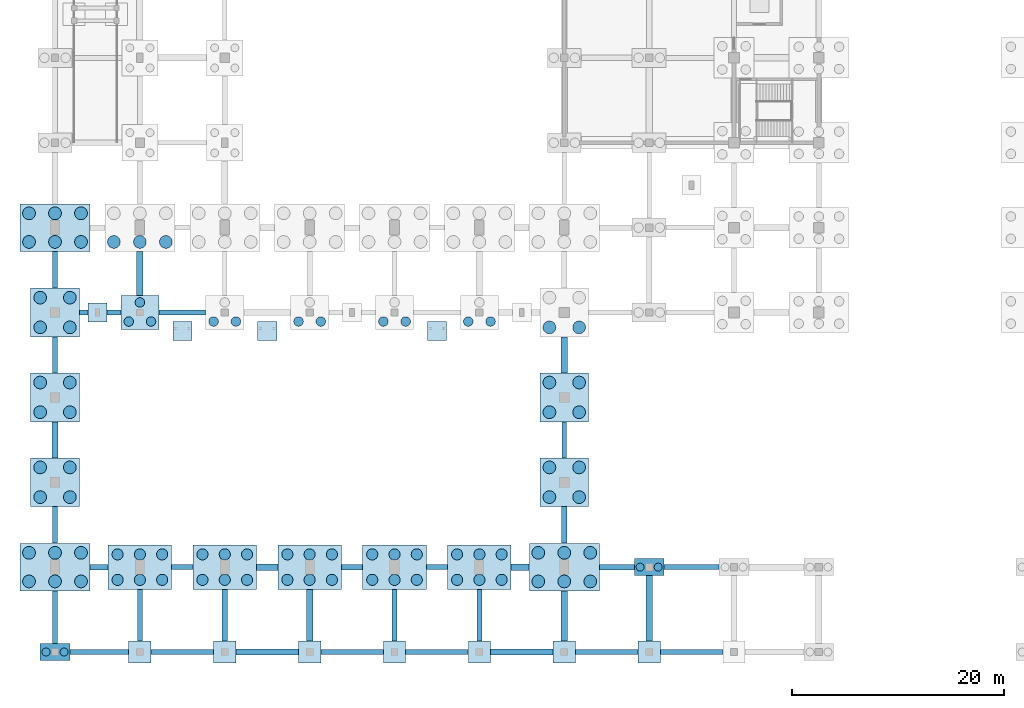
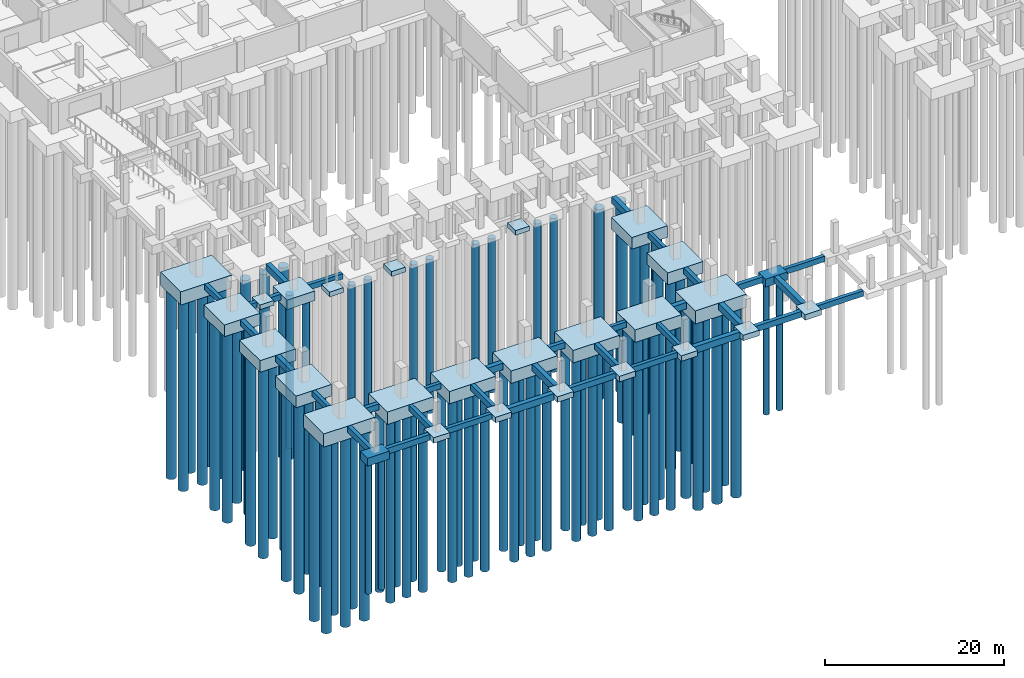
# One storey, part 1 of 32: 88 piles, 62 footings.
"""IFC4 building model written with IfcOpenShell, lengths in metres."""

from ifc_helpers import new_model, si_unit, direction, frame, origin, origin_2d, place, context, subcontext, project, spatial, rectangle, circle, extrude, material, material_profile, profile_set, type_object, element, save


model = new_model("IFC4")

# Units and contexts
model_context = context("Model", 3, precision=1e-05, world=origin(), true_north=direction((0.0, 1.0)))
body_context = subcontext(model_context, "Body", "Model", "MODEL_VIEW")
ifc_project = project(units=[si_unit("LENGTHUNIT", "METRE"), si_unit("AREAUNIT", "SQUARE_METRE"), si_unit("VOLUMEUNIT", "CUBIC_METRE"), si_unit("PLANEANGLEUNIT", "RADIAN"), si_unit("MASSUNIT", "GRAM", prefix="KILO")], contexts=[model_context])

# Site, building, storey
site_placement = place(None, origin())
site = spatial("IfcSite", under=ifc_project, at=site_placement, CompositionType="ELEMENT")
building_placement = place(site_placement, origin())
building = spatial("IfcBuilding", under=site, at=building_placement, Name="Tenunan Teduh Sports Hall", CompositionType="ELEMENT")
storey_placement = place(building_placement, frame((0.0, 0.0, -4.199951171875)))
storey = spatial("IfcBuildingStorey", under=building, at=storey_placement, Name="B1", CompositionType="ELEMENT", Elevation=-4.199951171875)

# Footings
ifc_material_1 = material(Name="Concrete C40/50", Category="concrete")
ifc_material_profile_1 = material_profile(ifc_material_1, rectangle(XDim=0.449951171875, YDim=0.75, at=origin_2d()), Name="RCB 450x750")
ifc_profile_set_1 = profile_set([ifc_material_profile_1], Name="Concrete C40/50")
footing_type_1 = type_object("IfcFootingType", Name="GB-450x750", PredefinedType="FOOTING_BEAM", material=ifc_profile_set_1)
for number, where, z_axis, x_axis, name in (
    (1, (15.052001953125, 6.0, -0.375), (1.0, 0.0, 0.0), (0.0, 1.0, 0.0), "FTG-GBX-002"),
    (2, (39.052001953125, 6.0, -0.375), (1.0, 0.0, 0.0), (0.0, 1.0, 0.0), "FTG-GBX-005"),
    (3, (63.052001953125, 6.0, -0.375), (1.0, 0.0, 0.0), (0.0, 1.0, 0.0), "FTG-GBX-008"),
):
    element("IfcFooting", number, at=place(storey_placement, frame(where, z_axis=z_axis, x_axis=x_axis)), inside=storey, type_object=footing_type_1, Name=name, PredefinedType="FOOTING_BEAM", context=body_context, shape_type="SweptSolid", body=[
        extrude(rectangle(XDim=0.449951171875, YDim=0.75, at=origin_2d()), origin(), (0.0, 0.0, 1.0), 5.89599609375),
    ])
for number, where, z_axis, x_axis, name in (
    (4, (17.001953125, 14.0, -0.375), (1.0, 0.0, 0.0), (0.0, 1.0, 0.0), "FTG-GBX-020"),
    (5, (41.001953125, 14.0, -0.375), (1.0, 0.0, 0.0), (0.0, 1.0, 0.0), "FTG-GBX-023"),
):
    element("IfcFooting", number, at=place(storey_placement, frame(where, z_axis=z_axis, x_axis=x_axis)), inside=storey, type_object=footing_type_1, Name=name, PredefinedType="FOOTING_BEAM", context=body_context, shape_type="SweptSolid", body=[
        extrude(rectangle(XDim=0.449951171875, YDim=0.75, at=origin_2d()), origin(), (0.0, 0.0, 1.0), 1.99609375),
    ])
footing_1_placement = place(storey_placement, frame((63.402099609375, 14.0, -0.375), z_axis=(1.0, 0.0, 0.0), x_axis=(0.0, 1.0, 0.0)))
element("IfcFooting", 6, at=footing_1_placement, inside=storey, type_object=footing_type_1, Name="FTG-GBX-026", PredefinedType="FOOTING_BEAM", context=body_context, shape_type="SweptSolid", body=[
    extrude(rectangle(XDim=0.449951171875, YDim=0.75, at=origin_2d()), origin(), (0.0, 0.0, 1.0), 5.19580078125),
])
footing_2_placement = place(storey_placement, frame((15.802001953125, 38.0, -0.375), z_axis=(1.0, 0.0, 0.0), x_axis=(0.0, 1.0, 0.0)))
element("IfcFooting", 7, at=footing_2_placement, inside=storey, type_object=footing_type_1, Name="FTG-GBX-039", PredefinedType="FOOTING_BEAM", context=body_context, shape_type="SweptSolid", body=[
    extrude(rectangle(XDim=0.449951171875, YDim=0.75, at=origin_2d()), origin(), (0.0, 0.0, 1.0), 4.39599609375),
])
for number, where, z_axis, x_axis, name in (
    (8, (6.0, 16.251953125, -0.375), (0.0, 1.0, 0.0), (-1.0, 0.0, 0.0), "FTG-GBY-172"),
    (9, (6.0, 40.302001953125, -0.375), (0.0, 1.0, 0.0), (-1.0, 0.0, 0.0), "FTG-GBY-175"),
):
    element("IfcFooting", number, at=place(storey_placement, frame(where, z_axis=z_axis, x_axis=x_axis)), inside=storey, type_object=footing_type_1, Name=name, PredefinedType="FOOTING_BEAM", context=body_context, shape_type="SweptSolid", body=[
        extrude(rectangle(XDim=0.449951171875, YDim=0.75, at=origin_2d()), origin(), (0.0, 0.0, 1.0), 3.446044921875),
    ])
for number, where, z_axis, x_axis, name in (
    (10, (14.0, 7.052001953125, -0.375), (0.0, 1.0, 0.0), (-1.0, 0.0, 0.0), "FTG-GBY-180"),
    (11, (46.0, 7.052001953125, -0.375), (0.0, 1.0, 0.0), (-1.0, 0.0, 0.0), "FTG-GBY-216"),
):
    element("IfcFooting", number, at=place(storey_placement, frame(where, z_axis=z_axis, x_axis=x_axis)), inside=storey, type_object=footing_type_1, Name=name, PredefinedType="FOOTING_BEAM", context=body_context, shape_type="SweptSolid", body=[
        extrude(rectangle(XDim=0.449951171875, YDim=0.75, at=origin_2d()), origin(), (0.0, 0.0, 1.0), 4.845947265625),
    ])
footing_3_placement = place(storey_placement, frame((54.0, 24.302001953125, -0.375), z_axis=(0.0, 1.0, 0.0), x_axis=(-1.0, 0.0, 0.0)))
element("IfcFooting", 12, at=footing_3_placement, inside=storey, type_object=footing_type_1, Name="FTG-GBY-225", PredefinedType="FOOTING_BEAM", context=body_context, shape_type="SweptSolid", body=[
    extrude(rectangle(XDim=0.449951171875, YDim=0.75, at=origin_2d()), origin(), (0.0, 0.0, 1.0), 3.39599609375),
])
ifc_material_2 = material(Name="Concrete C40/50", Category="concrete")
ifc_material_profile_2 = material_profile(ifc_material_2, rectangle(XDim=0.5, YDim=0.800048828125, at=origin_2d()), Name="RCB 500x800")
ifc_profile_set_2 = profile_set([ifc_material_profile_2], Name="Concrete C40/50")
footing_type_2 = type_object("IfcFootingType", Name="GB-500x800", PredefinedType="FOOTING_BEAM", material=ifc_profile_set_2)
footing_4_placement = place(storey_placement, frame((7.402099609375, 6.0, -0.400146484375), z_axis=(1.0, 0.0, 0.0), x_axis=(0.0, 1.0, 0.0)))
element("IfcFooting", 13, at=footing_4_placement, inside=storey, type_object=footing_type_2, Name="FTG-GBX-001", PredefinedType="FOOTING_BEAM", context=body_context, shape_type="SweptSolid", body=[
    extrude(rectangle(XDim=0.5, YDim=0.800048828125, at=origin_2d()), origin(), (0.0, 0.0, 1.0), 5.5458984375),
])
for number, where, z_axis, x_axis, name in (
    (14, (31.052001953125, 6.0, -0.400146484375), (1.0, 0.0, 0.0), (0.0, 1.0, 0.0), "FTG-GBX-004"),
    (15, (55.052001953125, 6.0, -0.400146484375), (1.0, 0.0, 0.0), (0.0, 1.0, 0.0), "FTG-GBX-007"),
):
    element("IfcFooting", number, at=place(storey_placement, frame(where, z_axis=z_axis, x_axis=x_axis)), inside=storey, type_object=footing_type_2, Name=name, PredefinedType="FOOTING_BEAM", context=body_context, shape_type="SweptSolid", body=[
        extrude(rectangle(XDim=0.5, YDim=0.800048828125, at=origin_2d()), origin(), (0.0, 0.0, 1.0), 5.89599609375),
    ])
footing_5_placement = place(storey_placement, frame((9.302001953125, 14.0, -0.400146484375), z_axis=(1.0, 0.0, 0.0), x_axis=(0.0, 1.0, 0.0)))
element("IfcFooting", 16, at=footing_5_placement, inside=storey, type_object=footing_type_2, Name="FTG-GBX-019", PredefinedType="FOOTING_BEAM", context=body_context, shape_type="SweptSolid", body=[
    extrude(rectangle(XDim=0.5, YDim=0.800048828125, at=origin_2d()), origin(), (0.0, 0.0, 1.0), 1.696044921875),
])
footing_6_placement = place(storey_placement, frame((33.001953125, 14.0, -0.400146484375), z_axis=(1.0, 0.0, 0.0), x_axis=(0.0, 1.0, 0.0)))
element("IfcFooting", 17, at=footing_6_placement, inside=storey, type_object=footing_type_2, Name="FTG-GBX-022", PredefinedType="FOOTING_BEAM", context=body_context, shape_type="SweptSolid", body=[
    extrude(rectangle(XDim=0.5, YDim=0.800048828125, at=origin_2d()), origin(), (0.0, 0.0, 1.0), 1.99609375),
])
footing_7_placement = place(storey_placement, frame((57.302001953125, 14.0, -0.400146484375), z_axis=(1.0, 0.0, 0.0), x_axis=(0.0, 1.0, 0.0)))
element("IfcFooting", 18, at=footing_7_placement, inside=storey, type_object=footing_type_2, Name="FTG-GBX-025", PredefinedType="FOOTING_BEAM", context=body_context, shape_type="SweptSolid", body=[
    extrude(rectangle(XDim=0.5, YDim=0.800048828125, at=origin_2d()), origin(), (0.0, 0.0, 1.0), 3.2958984375),
])
footing_8_placement = place(storey_placement, frame((8.302001953125, 38.0, -0.400146484375), z_axis=(1.0, 0.0, 0.0), x_axis=(0.0, 1.0, 0.0)))
element("IfcFooting", 19, at=footing_8_placement, inside=storey, type_object=footing_type_2, Name="FTG-GBX-037", PredefinedType="FOOTING_BEAM", context=body_context, shape_type="SweptSolid", body=[
    extrude(rectangle(XDim=0.5, YDim=0.800048828125, at=origin_2d()), origin(), (0.0, 0.0, 1.0), 0.7958984375),
])
footing_9_placement = place(storey_placement, frame((10.902099609375, 38.0, -0.400146484375), z_axis=(1.0, 0.0, 0.0), x_axis=(0.0, 1.0, 0.0)))
element("IfcFooting", 20, at=footing_9_placement, inside=storey, type_object=footing_type_2, Name="FTG-GBX-038", PredefinedType="FOOTING_BEAM", context=body_context, shape_type="SweptSolid", body=[
    extrude(rectangle(XDim=0.5, YDim=0.800048828125, at=origin_2d()), origin(), (0.0, 0.0, 1.0), 1.2958984375),
])
footing_10_placement = place(storey_placement, frame((6.0, 6.802001953125, -0.400146484375), z_axis=(0.0, 1.0, 0.0), x_axis=(-1.0, 0.0, 0.0)))
element("IfcFooting", 21, at=footing_10_placement, inside=storey, type_object=footing_type_2, Name="FTG-GBY-171", PredefinedType="FOOTING_BEAM", context=body_context, shape_type="SweptSolid", body=[
    extrude(rectangle(XDim=0.5, YDim=0.800048828125, at=origin_2d()), origin(), (0.0, 0.0, 1.0), 4.946044921875),
])
footing_11_placement = place(storey_placement, frame((6.0, 32.302001953125, -0.400146484375), z_axis=(0.0, 1.0, 0.0), x_axis=(-1.0, 0.0, 0.0)))
element("IfcFooting", 22, at=footing_11_placement, inside=storey, type_object=footing_type_2, Name="FTG-GBY-174", PredefinedType="FOOTING_BEAM", context=body_context, shape_type="SweptSolid", body=[
    extrude(rectangle(XDim=0.5, YDim=0.800048828125, at=origin_2d()), origin(), (0.0, 0.0, 1.0), 3.39599609375),
])
for number, where, z_axis, x_axis, name in (
    (23, (22.0, 7.052001953125, -0.400146484375), (0.0, 1.0, 0.0), (-1.0, 0.0, 0.0), "FTG-GBY-191"),
    (24, (38.0, 7.052001953125, -0.400146484375), (0.0, 1.0, 0.0), (-1.0, 0.0, 0.0), "FTG-GBY-209"),
):
    element("IfcFooting", number, at=place(storey_placement, frame(where, z_axis=z_axis, x_axis=x_axis)), inside=storey, type_object=footing_type_2, Name=name, PredefinedType="FOOTING_BEAM", context=body_context, shape_type="SweptSolid", body=[
        extrude(rectangle(XDim=0.5, YDim=0.800048828125, at=origin_2d()), origin(), (0.0, 0.0, 1.0), 4.845947265625),
    ])
footing_12_placement = place(storey_placement, frame((54.0, 16.251953125, -0.400146484375), z_axis=(0.0, 1.0, 0.0), x_axis=(-1.0, 0.0, 0.0)))
element("IfcFooting", 25, at=footing_12_placement, inside=storey, type_object=footing_type_2, Name="FTG-GBY-224", PredefinedType="FOOTING_BEAM", context=body_context, shape_type="SweptSolid", body=[
    extrude(rectangle(XDim=0.5, YDim=0.800048828125, at=origin_2d()), origin(), (0.0, 0.0, 1.0), 3.446044921875),
])
ifc_material_3 = material(Name="Concrete C40/50", Category="concrete")
ifc_material_profile_3 = material_profile(ifc_material_3, rectangle(XDim=0.60009765625, YDim=0.89990234375, at=origin_2d()), Name="RCB 600x900")
ifc_profile_set_3 = profile_set([ifc_material_profile_3], Name="Concrete C40/50")
footing_type_3 = type_object("IfcFootingType", Name="GB-600x900", PredefinedType="FOOTING_BEAM", material=ifc_profile_set_3)
for number, where, z_axis, x_axis, name in (
    (26, (23.052001953125, 6.0, -0.449951171875), (1.0, 0.0, 0.0), (0.0, 1.0, 0.0), "FTG-GBX-003"),
    (27, (47.052001953125, 6.0, -0.449951171875), (1.0, 0.0, 0.0), (0.0, 1.0, 0.0), "FTG-GBX-006"),
):
    element("IfcFooting", number, at=place(storey_placement, frame(where, z_axis=z_axis, x_axis=x_axis)), inside=storey, type_object=footing_type_3, Name=name, PredefinedType="FOOTING_BEAM", context=body_context, shape_type="SweptSolid", body=[
        extrude(rectangle(XDim=0.60009765625, YDim=0.89990234375, at=origin_2d()), origin(), (0.0, 0.0, 1.0), 5.89599609375),
    ])
footing_13_placement = place(storey_placement, frame((25.001953125, 14.0, -0.449951171875), z_axis=(1.0, 0.0, 0.0), x_axis=(0.0, 1.0, 0.0)))
element("IfcFooting", 28, at=footing_13_placement, inside=storey, type_object=footing_type_3, Name="FTG-GBX-021", PredefinedType="FOOTING_BEAM", context=body_context, shape_type="SweptSolid", body=[
    extrude(rectangle(XDim=0.60009765625, YDim=0.89990234375, at=origin_2d()), origin(), (0.0, 0.0, 1.0), 1.99609375),
])
footing_14_placement = place(storey_placement, frame((49.001953125, 14.0, -0.449951171875), z_axis=(1.0, 0.0, 0.0), x_axis=(0.0, 1.0, 0.0)))
element("IfcFooting", 29, at=footing_14_placement, inside=storey, type_object=footing_type_3, Name="FTG-GBX-024", PredefinedType="FOOTING_BEAM", context=body_context, shape_type="SweptSolid", body=[
    extrude(rectangle(XDim=0.60009765625, YDim=0.89990234375, at=origin_2d()), origin(), (0.0, 0.0, 1.0), 1.696044921875),
])
footing_15_placement = place(storey_placement, frame((6.0, 24.302001953125, -0.449951171875), z_axis=(0.0, 1.0, 0.0), x_axis=(-1.0, 0.0, 0.0)))
element("IfcFooting", 30, at=footing_15_placement, inside=storey, type_object=footing_type_3, Name="FTG-GBY-173", PredefinedType="FOOTING_BEAM", context=body_context, shape_type="SweptSolid", body=[
    extrude(rectangle(XDim=0.60009765625, YDim=0.89990234375, at=origin_2d()), origin(), (0.0, 0.0, 1.0), 3.39599609375),
])
footing_16_placement = place(storey_placement, frame((14.0, 39.60205078125, -0.449951171875), z_axis=(0.0, 1.0, 0.0), x_axis=(-1.0, 0.0, 0.0)))
element("IfcFooting", 31, at=footing_16_placement, inside=storey, type_object=footing_type_3, Name="FTG-GBY-181", PredefinedType="FOOTING_BEAM", context=body_context, shape_type="SweptSolid", body=[
    extrude(rectangle(XDim=0.60009765625, YDim=0.89990234375, at=origin_2d()), origin(), (0.0, 0.0, 1.0), 4.14599609375),
])
footing_17_placement = place(storey_placement, frame((30.0, 7.052001953125, -0.449951171875), z_axis=(0.0, 1.0, 0.0), x_axis=(-1.0, 0.0, 0.0)))
element("IfcFooting", 32, at=footing_17_placement, inside=storey, type_object=footing_type_3, Name="FTG-GBY-202", PredefinedType="FOOTING_BEAM", context=body_context, shape_type="SweptSolid", body=[
    extrude(rectangle(XDim=0.60009765625, YDim=0.89990234375, at=origin_2d()), origin(), (0.0, 0.0, 1.0), 4.845947265625),
])
footing_18_placement = place(storey_placement, frame((54.0, 7.052001953125, -0.449951171875), z_axis=(0.0, 1.0, 0.0), x_axis=(-1.0, 0.0, 0.0)))
element("IfcFooting", 33, at=footing_18_placement, inside=storey, type_object=footing_type_3, Name="FTG-GBY-223", PredefinedType="FOOTING_BEAM", context=body_context, shape_type="SweptSolid", body=[
    extrude(rectangle(XDim=0.60009765625, YDim=0.89990234375, at=origin_2d()), origin(), (0.0, 0.0, 1.0), 4.696044921875),
])
footing_19_placement = place(storey_placement, frame((54.0, 32.302001953125, -0.449951171875), z_axis=(0.0, 1.0, 0.0), x_axis=(-1.0, 0.0, 0.0)))
element("IfcFooting", 34, at=footing_19_placement, inside=storey, type_object=footing_type_3, Name="FTG-GBY-226", PredefinedType="FOOTING_BEAM", context=body_context, shape_type="SweptSolid", body=[
    extrude(rectangle(XDim=0.60009765625, YDim=0.89990234375, at=origin_2d()), origin(), (0.0, 0.0, 1.0), 3.39599609375),
])
footing_20_placement = place(storey_placement, frame((62.0, 7.052001953125, -0.449951171875), z_axis=(0.0, 1.0, 0.0), x_axis=(-1.0, 0.0, 0.0)))
element("IfcFooting", 35, at=footing_20_placement, inside=storey, type_object=footing_type_3, Name="FTG-GBY-235", PredefinedType="FOOTING_BEAM", context=body_context, shape_type="SweptSolid", body=[
    extrude(rectangle(XDim=0.60009765625, YDim=0.89990234375, at=origin_2d()), origin(), (0.0, 0.0, 1.0), 6.14599609375),
])
ifc_material_4 = material(Name="Concrete C40/50", Category="concrete")
footing_type_4 = type_object("IfcFootingType", Name="PC-2A", PredefinedType="PILE_CAP", material=ifc_material_4)
for number, where, z_axis, x_axis, name in (
    (36, (6.0, 6.0, -1.10009765625), (0.0, 0.0, 1.0), (1.0, 0.0, 0.0), "FTG-PC-001"),
    (37, (62.0, 14.0, -1.10009765625), (0.0, 0.0, 1.0), (1.0, 0.0, 0.0), "FTG-PC-086"),
):
    element("IfcFooting", number, at=place(storey_placement, frame(where, z_axis=z_axis, x_axis=x_axis)), inside=storey, type_object=footing_type_4, Name=name, PredefinedType="PILE_CAP", context=body_context, shape_type="SweptSolid", body=[
        extrude(rectangle(XDim=2.800048828125, YDim=1.60009765625, at=origin_2d()), origin(), (0.0, 0.0, 1.0), 1.10009765625),
    ])
ifc_material_5 = material(Name="Concrete C40/50", Category="concrete")
footing_type_5 = type_object("IfcFootingType", Name="PC-3A", PredefinedType="PILE_CAP", material=ifc_material_5)
footing_21_placement = place(storey_placement, frame((14.0, 38.0, -1.30029296875), z_axis=(0.0, 0.0, 1.0), x_axis=(1.0, 0.0, 0.0)))
element("IfcFooting", 38, at=footing_21_placement, inside=storey, type_object=footing_type_5, Name="FTG-PC-017", PredefinedType="PILE_CAP", context=body_context, shape_type="SweptSolid", body=[
    extrude(rectangle(XDim=3.60009765625, YDim=3.199951171875, at=origin_2d()), origin(), (0.0, 0.0, 1.0), 1.300048828125),
])
ifc_material_6 = material(Name="Concrete C40/50", Category="concrete")
footing_type_6 = type_object("IfcFootingType", Name="PC-4D", PredefinedType="PILE_CAP", material=ifc_material_6)
for number, where, z_axis, x_axis, name in (
    (39, (6.0, 22.0, -1.60009765625), (0.0, 0.0, 1.0), (1.0, 0.0, 0.0), "FTG-PC-003"),
    (40, (6.0, 30.0, -1.60009765625), (0.0, 0.0, 1.0), (1.0, 0.0, 0.0), "FTG-PC-004"),
    (41, (6.0, 38.0, -1.60009765625), (0.0, 0.0, 1.0), (1.0, 0.0, 0.0), "FTG-PC-005"),
    (42, (54.0, 22.0, -1.60009765625), (0.0, 0.0, 1.0), (1.0, 0.0, 0.0), "FTG-PC-073"),
    (43, (54.0, 30.0, -1.60009765625), (0.0, 0.0, 1.0), (1.0, 0.0, 0.0), "FTG-PC-074"),
):
    element("IfcFooting", number, at=place(storey_placement, frame(where, z_axis=z_axis, x_axis=x_axis)), inside=storey, type_object=footing_type_6, Name=name, PredefinedType="PILE_CAP", context=body_context, shape_type="SweptSolid", body=[
        extrude(rectangle(XDim=4.60009765625, YDim=4.60009765625, at=origin_2d()), origin(), (0.0, 0.0, 1.0), 1.60009765625),
    ])
ifc_material_7 = material(Name="Concrete C40/50", Category="concrete")
footing_type_7 = type_object("IfcFootingType", Name="PC-6B", PredefinedType="PILE_CAP", material=ifc_material_7)
for number, where, z_axis, x_axis, name in (
    (44, (14.0, 14.0, -1.7001953125), (0.0, 0.0, 1.0), (1.0, 0.0, 0.0), "FTG-PC-016"),
    (45, (22.0, 14.0, -1.7001953125), (0.0, 0.0, 1.0), (1.0, 0.0, 0.0), "FTG-PC-029"),
    (46, (30.0, 14.0, -1.7001953125), (0.0, 0.0, 1.0), (1.0, 0.0, 0.0), "FTG-PC-042"),
    (47, (38.0, 14.0, -1.7001953125), (0.0, 0.0, 1.0), (1.0, 0.0, 0.0), "FTG-PC-052"),
    (48, (46.0, 14.0, -1.7001953125), (0.0, 0.0, 1.0), (1.0, 0.0, 0.0), "FTG-PC-062"),
):
    element("IfcFooting", number, at=place(storey_placement, frame(where, z_axis=z_axis, x_axis=x_axis)), inside=storey, type_object=footing_type_7, Name=name, PredefinedType="PILE_CAP", context=body_context, shape_type="SweptSolid", body=[
        extrude(rectangle(XDim=6.0, YDim=4.199951171875, at=origin_2d()), origin(), (0.0, 0.0, 1.0), 1.699951171875),
    ])
ifc_material_8 = material(Name="Concrete C40/50", Category="concrete")
footing_type_8 = type_object("IfcFootingType", Name="PC-6C", PredefinedType="PILE_CAP", material=ifc_material_8)
for number, where, z_axis, x_axis, name in (
    (49, (6.0, 14.0, -1.80029296875), (0.0, 0.0, 1.0), (1.0, 0.0, 0.0), "FTG-PC-002"),
    (50, (6.0, 46.0, -1.80029296875), (0.0, 0.0, 1.0), (1.0, 0.0, 0.0), "FTG-PC-006"),
    (51, (54.0, 14.0, -1.80029296875), (0.0, 0.0, 1.0), (1.0, 0.0, 0.0), "FTG-PC-072"),
):
    element("IfcFooting", number, at=place(storey_placement, frame(where, z_axis=z_axis, x_axis=x_axis)), inside=storey, type_object=footing_type_8, Name=name, PredefinedType="PILE_CAP", context=body_context, shape_type="SweptSolid", body=[
        extrude(rectangle(XDim=6.60009765625, YDim=4.5, at=origin_2d()), origin(), (0.0, 0.0, 1.0), 1.800048828125),
    ])
ifc_material_9 = material(Name="Concrete C40/50", Category="concrete")
footing_type_9 = type_object("IfcFootingType", Name="PF-1A", PredefinedType="PAD_FOOTING", material=ifc_material_9)
for number, where, z_axis, x_axis, name in (
    (52, (10.0, 38.0, -0.64990234375), (0.0, 0.0, 1.0), (1.0, 0.0, 0.0), "FTG-PIL-01"),
    (53, (18.0, 36.27001953125, -0.64990234375), (0.0, 0.0, 1.0), (1.0, 0.0, 0.0), "FTG-FST-4"),
    (54, (26.0, 36.27001953125, -0.64990234375), (0.0, 0.0, 1.0), (1.0, 0.0, 0.0), "FTG-FST-5"),
    (55, (42.0, 36.27001953125, -0.64990234375), (0.0, 0.0, 1.0), (1.0, 0.0, 0.0), "FTG-FST-6"),
):
    element("IfcFooting", number, at=place(storey_placement, frame(where, z_axis=z_axis, x_axis=x_axis)), inside=storey, type_object=footing_type_9, Name=name, PredefinedType="PAD_FOOTING", context=body_context, shape_type="SweptSolid", body=[
        extrude(rectangle(XDim=1.800048828125, YDim=1.800048828125, at=origin_2d()), origin(), (0.0, 0.0, 1.0), 0.64990234375),
    ])
ifc_material_10 = material(Name="Concrete C40/50", Category="concrete")
footing_type_10 = type_object("IfcFootingType", Name="PF-1B", PredefinedType="PAD_FOOTING", material=ifc_material_10)
for number, where, z_axis, x_axis, name in (
    (56, (14.0, 6.0, -0.75), (0.0, 0.0, 1.0), (1.0, 0.0, 0.0), "FTG-PAD-015"),
    (57, (22.0, 6.0, -0.75), (0.0, 0.0, 1.0), (1.0, 0.0, 0.0), "FTG-PAD-028"),
    (58, (30.0, 6.0, -0.75), (0.0, 0.0, 1.0), (1.0, 0.0, 0.0), "FTG-PAD-041"),
    (59, (38.0, 6.0, -0.75), (0.0, 0.0, 1.0), (1.0, 0.0, 0.0), "FTG-PAD-051"),
    (60, (46.0, 6.0, -0.75), (0.0, 0.0, 1.0), (1.0, 0.0, 0.0), "FTG-PAD-061"),
    (61, (54.0, 6.0, -0.75), (0.0, 0.0, 1.0), (1.0, 0.0, 0.0), "FTG-PAD-071"),
    (62, (62.0, 6.0, -0.75), (0.0, 0.0, 1.0), (1.0, 0.0, 0.0), "FTG-PAD-085"),
):
    element("IfcFooting", number, at=place(storey_placement, frame(where, z_axis=z_axis, x_axis=x_axis)), inside=storey, type_object=footing_type_10, Name=name, PredefinedType="PAD_FOOTING", context=body_context, shape_type="SweptSolid", body=[
        extrude(rectangle(XDim=2.10009765625, YDim=2.10009765625, at=origin_2d()), origin(), (0.0, 0.0, 1.0), 0.75),
    ])

# Piles
ifc_material_11 = material(Name="Concrete C40/50", Category="concrete")
ifc_material_profile_4 = material_profile(ifc_material_11, circle(Radius=0.52490234375, at=origin_2d()), Name="PILE D1050")
ifc_profile_set_4 = profile_set([ifc_material_profile_4], Name="Concrete C40/50")
pile_type_1 = type_object("IfcPileType", Name="PILE-D1050", PredefinedType="BORED", material=ifc_profile_set_4)
for number, where, z_axis, x_axis, name in (
    (63, (11.89990234375, 12.800048828125, -1.60009765625), (0.0, 0.0, -1.0), (1.0, 0.0, 0.0), "PILE-PL-3-016-1"),
    (64, (14.0, 12.800048828125, -1.60009765625), (0.0, 0.0, -1.0), (1.0, 0.0, 0.0), "PILE-PL-3-016-2"),
    (65, (16.10009765625, 12.800048828125, -1.60009765625), (0.0, 0.0, -1.0), (1.0, 0.0, 0.0), "PILE-PL-3-016-3"),
    (66, (11.89990234375, 15.199951171875, -1.60009765625), (0.0, 0.0, -1.0), (1.0, 0.0, 0.0), "PILE-PL-3-016-4"),
    (67, (14.0, 15.199951171875, -1.60009765625), (0.0, 0.0, -1.0), (1.0, 0.0, 0.0), "PILE-PL-3-016-5"),
    (68, (16.10009765625, 15.199951171875, -1.60009765625), (0.0, 0.0, -1.0), (1.0, 0.0, 0.0), "PILE-PL-3-016-6"),
    (69, (19.89990234375, 12.800048828125, -1.60009765625), (0.0, 0.0, -1.0), (1.0, 0.0, 0.0), "PILE-PL-3-029-1"),
    (70, (22.0, 12.800048828125, -1.60009765625), (0.0, 0.0, -1.0), (1.0, 0.0, 0.0), "PILE-PL-3-029-2"),
    (71, (24.10009765625, 12.800048828125, -1.60009765625), (0.0, 0.0, -1.0), (1.0, 0.0, 0.0), "PILE-PL-3-029-3"),
    (72, (19.89990234375, 15.199951171875, -1.60009765625), (0.0, 0.0, -1.0), (1.0, 0.0, 0.0), "PILE-PL-3-029-4"),
    (73, (22.0, 15.199951171875, -1.60009765625), (0.0, 0.0, -1.0), (1.0, 0.0, 0.0), "PILE-PL-3-029-5"),
    (74, (24.10009765625, 15.199951171875, -1.60009765625), (0.0, 0.0, -1.0), (1.0, 0.0, 0.0), "PILE-PL-3-029-6"),
    (75, (27.89990234375, 12.800048828125, -1.60009765625), (0.0, 0.0, -1.0), (1.0, 0.0, 0.0), "PILE-PL-3-042-1"),
    (76, (30.0, 12.800048828125, -1.60009765625), (0.0, 0.0, -1.0), (1.0, 0.0, 0.0), "PILE-PL-3-042-2"),
    (77, (32.10009765625, 12.800048828125, -1.60009765625), (0.0, 0.0, -1.0), (1.0, 0.0, 0.0), "PILE-PL-3-042-3"),
    (78, (27.89990234375, 15.199951171875, -1.60009765625), (0.0, 0.0, -1.0), (1.0, 0.0, 0.0), "PILE-PL-3-042-4"),
    (79, (30.0, 15.199951171875, -1.60009765625), (0.0, 0.0, -1.0), (1.0, 0.0, 0.0), "PILE-PL-3-042-5"),
    (80, (32.10009765625, 15.199951171875, -1.60009765625), (0.0, 0.0, -1.0), (1.0, 0.0, 0.0), "PILE-PL-3-042-6"),
    (81, (35.89990234375, 12.800048828125, -1.60009765625), (0.0, 0.0, -1.0), (1.0, 0.0, 0.0), "PILE-PL-3-052-1"),
    (82, (38.0, 12.800048828125, -1.60009765625), (0.0, 0.0, -1.0), (1.0, 0.0, 0.0), "PILE-PL-3-052-2"),
    (83, (40.10009765625, 12.800048828125, -1.60009765625), (0.0, 0.0, -1.0), (1.0, 0.0, 0.0), "PILE-PL-3-052-3"),
    (84, (35.89990234375, 15.199951171875, -1.60009765625), (0.0, 0.0, -1.0), (1.0, 0.0, 0.0), "PILE-PL-3-052-4"),
    (85, (38.0, 15.199951171875, -1.60009765625), (0.0, 0.0, -1.0), (1.0, 0.0, 0.0), "PILE-PL-3-052-5"),
    (86, (40.10009765625, 15.199951171875, -1.60009765625), (0.0, 0.0, -1.0), (1.0, 0.0, 0.0), "PILE-PL-3-052-6"),
    (87, (43.89990234375, 12.800048828125, -1.60009765625), (0.0, 0.0, -1.0), (1.0, 0.0, 0.0), "PILE-PL-3-062-1"),
    (88, (46.0, 12.800048828125, -1.60009765625), (0.0, 0.0, -1.0), (1.0, 0.0, 0.0), "PILE-PL-3-062-2"),
    (89, (48.10009765625, 12.800048828125, -1.60009765625), (0.0, 0.0, -1.0), (1.0, 0.0, 0.0), "PILE-PL-3-062-3"),
    (90, (43.89990234375, 15.199951171875, -1.60009765625), (0.0, 0.0, -1.0), (1.0, 0.0, 0.0), "PILE-PL-3-062-4"),
    (91, (46.0, 15.199951171875, -1.60009765625), (0.0, 0.0, -1.0), (1.0, 0.0, 0.0), "PILE-PL-3-062-5"),
    (92, (48.10009765625, 15.199951171875, -1.60009765625), (0.0, 0.0, -1.0), (1.0, 0.0, 0.0), "PILE-PL-3-062-6"),
):
    element("IfcPile", number, at=place(storey_placement, frame(where, z_axis=z_axis, x_axis=x_axis)), inside=storey, type_object=pile_type_1, Name=name, PredefinedType="BORED", context=body_context, shape_type="SweptSolid", body=[
        extrude(circle(Radius=0.52490234375, at=origin_2d()), origin(), (0.0, 0.0, 1.0), 25.0),
    ])
ifc_material_12 = material(Name="Concrete C40/50", Category="concrete")
ifc_material_profile_5 = material_profile(ifc_material_12, circle(Radius=0.60009765625, at=origin_2d()), Name="PILE D1200")
ifc_profile_set_5 = profile_set([ifc_material_profile_5], Name="Concrete C40/50")
pile_type_2 = type_object("IfcPileType", Name="PILE-D1200", PredefinedType="BORED", material=ifc_profile_set_5)
for number, where, z_axis, x_axis, name in (
    (93, (3.550048828125, 12.64990234375, -1.699951171875), (0.0, 0.0, -1.0), (1.0, 0.0, 0.0), "PILE-PL-4-002-1"),
    (94, (6.0, 12.64990234375, -1.699951171875), (0.0, 0.0, -1.0), (1.0, 0.0, 0.0), "PILE-PL-4-002-2"),
    (95, (8.449951171875, 12.64990234375, -1.699951171875), (0.0, 0.0, -1.0), (1.0, 0.0, 0.0), "PILE-PL-4-002-3"),
    (96, (3.550048828125, 15.35009765625, -1.699951171875), (0.0, 0.0, -1.0), (1.0, 0.0, 0.0), "PILE-PL-4-002-4"),
    (97, (6.0, 15.35009765625, -1.699951171875), (0.0, 0.0, -1.0), (1.0, 0.0, 0.0), "PILE-PL-4-002-5"),
    (98, (8.449951171875, 15.35009765625, -1.699951171875), (0.0, 0.0, -1.0), (1.0, 0.0, 0.0), "PILE-PL-4-002-6"),
    (99, (4.60009765625, 20.60009765625, -1.5), (0.0, 0.0, -1.0), (1.0, 0.0, 0.0), "PILE-PL-4-003-1"),
    (100, (7.39990234375, 20.60009765625, -1.5), (0.0, 0.0, -1.0), (1.0, 0.0, 0.0), "PILE-PL-4-003-2"),
    (101, (4.60009765625, 23.39990234375, -1.5), (0.0, 0.0, -1.0), (1.0, 0.0, 0.0), "PILE-PL-4-003-3"),
    (102, (7.39990234375, 23.39990234375, -1.5), (0.0, 0.0, -1.0), (1.0, 0.0, 0.0), "PILE-PL-4-003-4"),
    (103, (4.60009765625, 28.60009765625, -1.5), (0.0, 0.0, -1.0), (1.0, 0.0, 0.0), "PILE-PL-4-004-1"),
    (104, (7.39990234375, 28.60009765625, -1.5), (0.0, 0.0, -1.0), (1.0, 0.0, 0.0), "PILE-PL-4-004-2"),
    (105, (4.60009765625, 31.39990234375, -1.5), (0.0, 0.0, -1.0), (1.0, 0.0, 0.0), "PILE-PL-4-004-3"),
    (106, (7.39990234375, 31.39990234375, -1.5), (0.0, 0.0, -1.0), (1.0, 0.0, 0.0), "PILE-PL-4-004-4"),
    (107, (4.60009765625, 36.60009765625, -1.5), (0.0, 0.0, -1.0), (1.0, 0.0, 0.0), "PILE-PL-4-005-1"),
    (108, (7.39990234375, 36.60009765625, -1.5), (0.0, 0.0, -1.0), (1.0, 0.0, 0.0), "PILE-PL-4-005-2"),
    (109, (4.60009765625, 39.39990234375, -1.5), (0.0, 0.0, -1.0), (1.0, 0.0, 0.0), "PILE-PL-4-005-3"),
    (110, (7.39990234375, 39.39990234375, -1.5), (0.0, 0.0, -1.0), (1.0, 0.0, 0.0), "PILE-PL-4-005-4"),
    (111, (3.550048828125, 44.64990234375, -1.699951171875), (0.0, 0.0, -1.0), (1.0, 0.0, 0.0), "PILE-PL-4-006-1"),
    (112, (6.0, 44.64990234375, -1.699951171875), (0.0, 0.0, -1.0), (1.0, 0.0, 0.0), "PILE-PL-4-006-2"),
    (113, (8.449951171875, 44.64990234375, -1.699951171875), (0.0, 0.0, -1.0), (1.0, 0.0, 0.0), "PILE-PL-4-006-3"),
    (114, (3.550048828125, 47.35009765625, -1.699951171875), (0.0, 0.0, -1.0), (1.0, 0.0, 0.0), "PILE-PL-4-006-4"),
    (115, (6.0, 47.35009765625, -1.699951171875), (0.0, 0.0, -1.0), (1.0, 0.0, 0.0), "PILE-PL-4-006-5"),
    (116, (8.449951171875, 47.35009765625, -1.699951171875), (0.0, 0.0, -1.0), (1.0, 0.0, 0.0), "PILE-PL-4-006-6"),
    (117, (11.550048828125, 44.64990234375, -1.699951171875), (0.0, 0.0, -1.0), (1.0, 0.0, 0.0), "PILE-PL-4-018-1"),
    (118, (14.0, 44.64990234375, -1.699951171875), (0.0, 0.0, -1.0), (1.0, 0.0, 0.0), "PILE-PL-4-018-2"),
    (119, (16.449951171875, 44.64990234375, -1.699951171875), (0.0, 0.0, -1.0), (1.0, 0.0, 0.0), "PILE-PL-4-018-3"),
    (120, (51.550048828125, 12.64990234375, -1.699951171875), (0.0, 0.0, -1.0), (1.0, 0.0, 0.0), "PILE-PL-4-072-1"),
    (121, (54.0, 12.64990234375, -1.699951171875), (0.0, 0.0, -1.0), (1.0, 0.0, 0.0), "PILE-PL-4-072-2"),
    (122, (56.449951171875, 12.64990234375, -1.699951171875), (0.0, 0.0, -1.0), (1.0, 0.0, 0.0), "PILE-PL-4-072-3"),
    (123, (51.550048828125, 15.35009765625, -1.699951171875), (0.0, 0.0, -1.0), (1.0, 0.0, 0.0), "PILE-PL-4-072-4"),
    (124, (54.0, 15.35009765625, -1.699951171875), (0.0, 0.0, -1.0), (1.0, 0.0, 0.0), "PILE-PL-4-072-5"),
    (125, (56.449951171875, 15.35009765625, -1.699951171875), (0.0, 0.0, -1.0), (1.0, 0.0, 0.0), "PILE-PL-4-072-6"),
    (126, (52.60009765625, 20.60009765625, -1.5), (0.0, 0.0, -1.0), (1.0, 0.0, 0.0), "PILE-PL-4-073-1"),
    (127, (55.39990234375, 20.60009765625, -1.5), (0.0, 0.0, -1.0), (1.0, 0.0, 0.0), "PILE-PL-4-073-2"),
    (128, (52.60009765625, 23.39990234375, -1.5), (0.0, 0.0, -1.0), (1.0, 0.0, 0.0), "PILE-PL-4-073-3"),
    (129, (55.39990234375, 23.39990234375, -1.5), (0.0, 0.0, -1.0), (1.0, 0.0, 0.0), "PILE-PL-4-073-4"),
    (130, (52.60009765625, 28.60009765625, -1.5), (0.0, 0.0, -1.0), (1.0, 0.0, 0.0), "PILE-PL-4-074-1"),
    (131, (55.39990234375, 28.60009765625, -1.5), (0.0, 0.0, -1.0), (1.0, 0.0, 0.0), "PILE-PL-4-074-2"),
    (132, (52.60009765625, 31.39990234375, -1.5), (0.0, 0.0, -1.0), (1.0, 0.0, 0.0), "PILE-PL-4-074-3"),
    (133, (55.39990234375, 31.39990234375, -1.5), (0.0, 0.0, -1.0), (1.0, 0.0, 0.0), "PILE-PL-4-074-4"),
    (134, (52.60009765625, 36.60009765625, -1.5), (0.0, 0.0, -1.0), (1.0, 0.0, 0.0), "PILE-PL-4-075-1"),
    (135, (55.39990234375, 36.60009765625, -1.5), (0.0, 0.0, -1.0), (1.0, 0.0, 0.0), "PILE-PL-4-075-2"),
):
    element("IfcPile", number, at=place(storey_placement, frame(where, z_axis=z_axis, x_axis=x_axis)), inside=storey, type_object=pile_type_2, Name=name, PredefinedType="BORED", context=body_context, shape_type="SweptSolid", body=[
        extrude(circle(Radius=0.60009765625, at=origin_2d()), origin(), (0.0, 0.0, 1.0), 26.0),
    ])
ifc_material_13 = material(Name="Concrete C40/50", Category="concrete")
ifc_material_profile_6 = material_profile(ifc_material_13, circle(Radius=0.375, at=origin_2d()), Name="PILE D750")
ifc_profile_set_6 = profile_set([ifc_material_profile_6], Name="Concrete C40/50")
pile_type_3 = type_object("IfcPileType", Name="PILE-D750", PredefinedType="BORED", material=ifc_profile_set_6)
for number, where, z_axis, x_axis, name in (
    (136, (5.14990234375, 6.0, -1.0), (0.0, 0.0, -1.0), (1.0, 0.0, 0.0), "PILE-PL-1-001-1"),
    (137, (6.85009765625, 6.0, -1.0), (0.0, 0.0, -1.0), (1.0, 0.0, 0.0), "PILE-PL-1-001-2"),
    (138, (61.14990234375, 14.0, -1.0), (0.0, 0.0, -1.0), (1.0, 0.0, 0.0), "PILE-PL-1-086-1"),
    (139, (62.85009765625, 14.0, -1.0), (0.0, 0.0, -1.0), (1.0, 0.0, 0.0), "PILE-PL-1-086-2"),
):
    element("IfcPile", number, at=place(storey_placement, frame(where, z_axis=z_axis, x_axis=x_axis)), inside=storey, type_object=pile_type_3, Name=name, PredefinedType="BORED", context=body_context, shape_type="SweptSolid", body=[
        extrude(circle(Radius=0.375, at=origin_2d()), origin(), (0.0, 0.0, 1.0), 18.0),
    ])
ifc_material_14 = material(Name="Concrete C40/50", Category="concrete")
ifc_material_profile_7 = material_profile(ifc_material_14, circle(Radius=0.449951171875, at=origin_2d()), Name="PILE D900")
ifc_profile_set_7 = profile_set([ifc_material_profile_7], Name="Concrete C40/50")
pile_type_4 = type_object("IfcPileType", Name="PILE-D900", PredefinedType="BORED", material=ifc_profile_set_7)
for number, where, z_axis, x_axis, name in (
    (140, (12.949951171875, 37.14990234375, -1.199951171875), (0.0, 0.0, -1.0), (1.0, 0.0, 0.0), "PILE-PL-2-017-1"),
    (141, (15.050048828125, 37.14990234375, -1.199951171875), (0.0, 0.0, -1.0), (1.0, 0.0, 0.0), "PILE-PL-2-017-2"),
    (142, (14.0, 38.949951171875, -1.199951171875), (0.0, 0.0, -1.0), (1.0, 0.0, 0.0), "PILE-PL-2-017-3"),
    (143, (20.949951171875, 37.14990234375, -1.199951171875), (0.0, 0.0, -1.0), (1.0, 0.0, 0.0), "PILE-PL-2-030-1"),
    (144, (23.050048828125, 37.14990234375, -1.199951171875), (0.0, 0.0, -1.0), (1.0, 0.0, 0.0), "PILE-PL-2-030-2"),
    (145, (28.949951171875, 37.14990234375, -1.199951171875), (0.0, 0.0, -1.0), (1.0, 0.0, 0.0), "PILE-PL-2-043-1"),
    (146, (31.050048828125, 37.14990234375, -1.199951171875), (0.0, 0.0, -1.0), (1.0, 0.0, 0.0), "PILE-PL-2-043-2"),
    (147, (36.949951171875, 37.14990234375, -1.199951171875), (0.0, 0.0, -1.0), (1.0, 0.0, 0.0), "PILE-PL-2-053-1"),
    (148, (39.050048828125, 37.14990234375, -1.199951171875), (0.0, 0.0, -1.0), (1.0, 0.0, 0.0), "PILE-PL-2-053-2"),
    (149, (44.949951171875, 37.14990234375, -1.199951171875), (0.0, 0.0, -1.0), (1.0, 0.0, 0.0), "PILE-PL-2-063-1"),
    (150, (47.050048828125, 37.14990234375, -1.199951171875), (0.0, 0.0, -1.0), (1.0, 0.0, 0.0), "PILE-PL-2-063-2"),
):
    element("IfcPile", number, at=place(storey_placement, frame(where, z_axis=z_axis, x_axis=x_axis)), inside=storey, type_object=pile_type_4, Name=name, PredefinedType="BORED", context=body_context, shape_type="SweptSolid", body=[
        extrude(circle(Radius=0.449951171875, at=origin_2d()), origin(), (0.0, 0.0, 1.0), 21.0),
    ])

save(model, "model.ifc")
